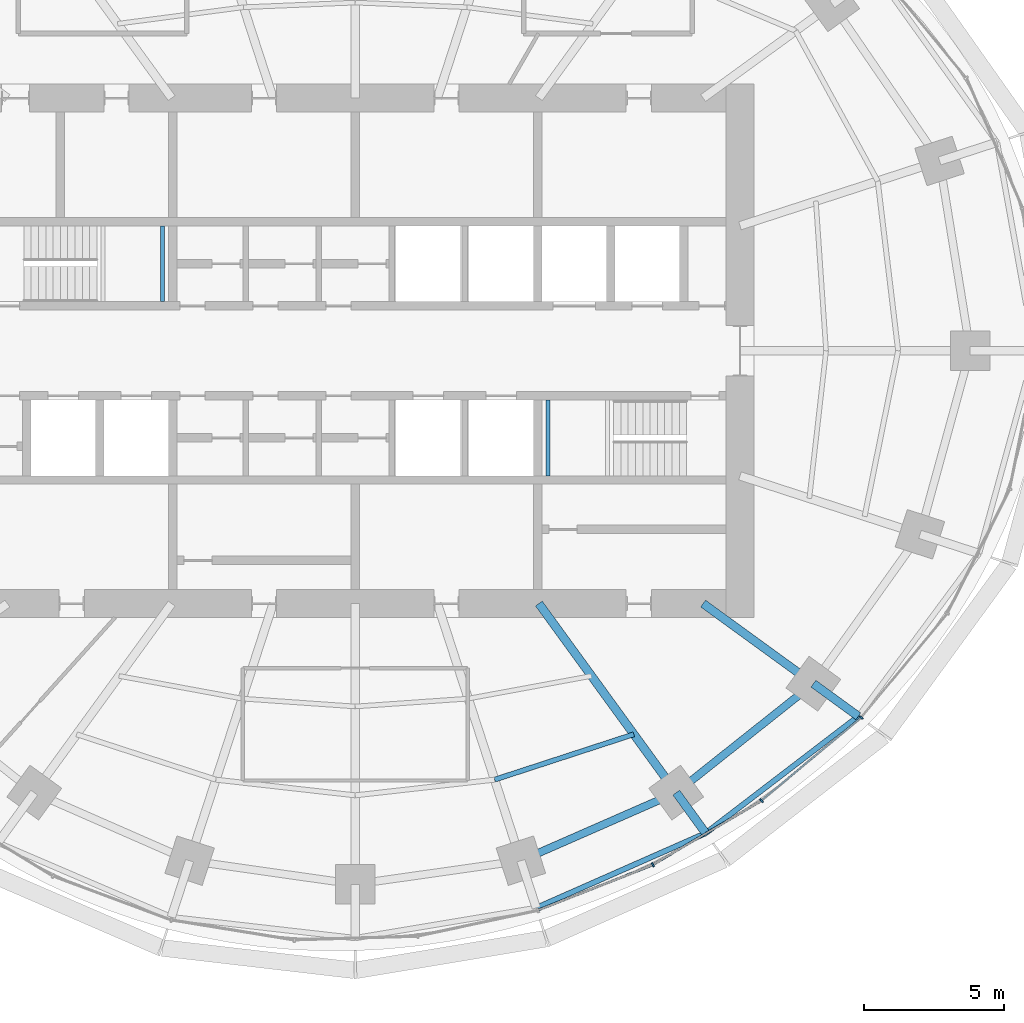
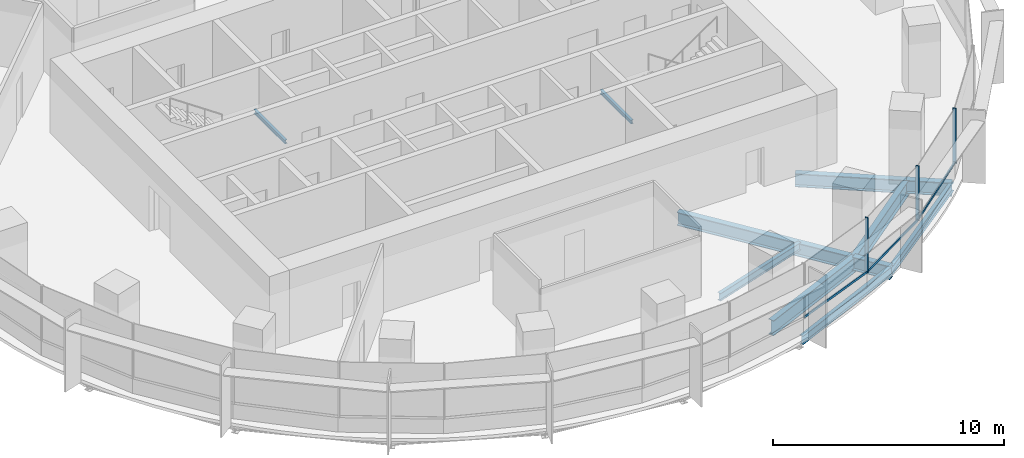
# One storey, part 5 of 14: 11 beams, 6 members, 2 elements without a shape of their own.
"""IFC4 building model written with IfcOpenShell, lengths in metres."""

from ifc_helpers import new_model, si_unit, direction, frame, origin, origin_2d, place, context, subcontext, project, spatial, rectangle, i_section, extrude, material, material_profile, profile_set, type_object, element, aggregate, save


model = new_model("IFC4")

# Units and contexts
model_context = context("Model", 3, precision=1e-05, world=origin(), true_north=direction((0.0, 1.0)))
body_context = subcontext(model_context, "Body", "Model", "MODEL_VIEW")
ifc_project = project(units=[si_unit("LENGTHUNIT", "METRE"), si_unit("AREAUNIT", "SQUARE_METRE"), si_unit("VOLUMEUNIT", "CUBIC_METRE"), si_unit("PLANEANGLEUNIT", "RADIAN"), si_unit("MASSUNIT", "GRAM", prefix="KILO")], contexts=[model_context])

# Site, building, storey
site_placement = place(None, origin())
site = spatial("IfcSite", under=ifc_project, at=site_placement, CompositionType="ELEMENT")
building_placement = place(site_placement, origin())
building = spatial("IfcBuilding", under=site, at=building_placement, Name="Marramba Exchange Tower", CompositionType="ELEMENT")
storey_placement = place(building_placement, frame((0.0, 0.0, 242.300048828125)))
storey = spatial("IfcBuildingStorey", under=building, at=storey_placement, Name="L59", CompositionType="ELEMENT", Elevation=242.300048828125)

# Beams
ifc_material_1 = material(Name="Steel AS/NZS 3679.2 grade 300", Category="steel")
ifc_material_profile_1 = material_profile(ifc_material_1, i_section(OverallWidth=0.300048828125, OverallDepth=0.699951171875, WebThickness=0.010009765625, FlangeThickness=0.031982421875, at=origin_2d()), Name="700WB173")
ifc_profile_set_1 = profile_set([ifc_material_profile_1], Name="Steel AS/NZS 3679.2 grade 300")
beam_type_1 = type_object("IfcBeamType", Name="Cantilever girder 700WB173", PredefinedType="BEAM", material=ifc_profile_set_1)
beam_1_placement = place(storey_placement, frame((11.430419921875, -15.732666015625, -0.510009765625), z_axis=(0.58783009415, -0.808984412959, 0.0), x_axis=(0.808984412959, 0.58783009415, 0.0)))
element("IfcBeam", 1, at=beam_1_placement, inside=storey, type_object=beam_type_1, Name="Cantilever girder L59 TC18", PredefinedType="BEAM", context=body_context, shape_type="SweptSolid", body=[
    extrude(i_section(OverallWidth=0.300048828125, OverallDepth=0.699951171875, WebThickness=0.010009765625, FlangeThickness=0.031982421875, at=origin_2d()), origin(), (0.0, 0.0, 1.0), 1.78515625),
])
beam_2_placement = place(storey_placement, frame((16.3154296875, -11.853759765625, -0.510009765625), z_axis=(0.808970801893, -0.587848825537, 0.0), x_axis=(0.587848825537, 0.808970801893, 0.0)))
element("IfcBeam", 2, at=beam_2_placement, inside=storey, type_object=beam_type_1, Name="Cantilever girder L59 TC19", PredefinedType="BEAM", context=body_context, shape_type="SweptSolid", body=[
    extrude(i_section(OverallWidth=0.300048828125, OverallDepth=0.699951171875, WebThickness=0.010009765625, FlangeThickness=0.031982421875, at=origin_2d()), origin(), (0.0, 0.0, 1.0), 1.978515625),
])
ifc_material_2 = material(Name="Steel AS/NZS 3679.1 grade 300", Category="steel")
ifc_material_profile_2 = material_profile(ifc_material_2, i_section(OverallWidth=0.177978515625, OverallDepth=0.406005859375, WebThickness=0.0078125, FlangeThickness=0.0126953125, FilletRadius=0.011474609375, at=origin_2d()), Name="410UB59.7")
ifc_profile_set_2 = profile_set([ifc_material_profile_2], Name="Steel AS/NZS 3679.1 grade 300")
beam_type_2 = type_object("IfcBeamType", Name="Floor joist 410UB59.7", PredefinedType="JOIST", material=ifc_profile_set_2)
beam_3_placement = place(storey_placement, frame((4.9619140625, -15.271484375, -0.363037109375), z_axis=(0.950764024931, 0.309915744834, 0.0), x_axis=(-0.309915744834, 0.950764024931, 0.0)))
element("IfcBeam", 3, at=beam_3_placement, inside=storey, type_object=beam_type_2, Name="Joist L59 bay 17 row 2", PredefinedType="JOIST", context=body_context, shape_type="SweptSolid", body=[
    extrude(i_section(OverallWidth=0.177978515625, OverallDepth=0.406005859375, WebThickness=0.0078125, FlangeThickness=0.0126953125, FilletRadius=0.011474609375, at=origin_2d()), origin(), (0.0, 0.0, 1.0), 5.2158203125),
])

# Curtain wall, members
ifc_material_3 = material(Name="Aluminium framing, bronze anodised", Category="aluminium")
curtain_wall_type = type_object("IfcCurtainWallType", Name="Office ribbon curtain wall", PredefinedType="USERDEFINED", material=ifc_material_3)
curtain_wall_1_placement = place(storey_placement, origin())
curtain_wall_1 = element("IfcCurtainWall", 4, at=curtain_wall_1_placement, inside=storey, type_object=curtain_wall_type, Name="Curtain wall CW4 L59 F26-F30", ObjectType="RIBBON CURTAIN WALL", PredefinedType="USERDEFINED")
ifc_material_4 = material(Name="Aluminium mullion, bronze anodised", Category="aluminium")
ifc_material_profile_3 = material_profile(ifc_material_4, rectangle(XDim=0.159912109375, YDim=0.06005859375, at=origin_2d()), Name="CW4 mullion 60x160")
ifc_profile_set_3 = profile_set([ifc_material_profile_3], Name="Aluminium mullion, bronze anodised")
member_type_1 = type_object("IfcMemberType", Name="Office ribbon curtain wall mullion", PredefinedType="MULLION", material=ifc_profile_set_3)
member_1_placement = place(storey_placement, frame((10.60009765625, -18.2998046875, 0.800048828125), z_axis=(0.0, 0.0, 1.0), x_axis=(-0.508010571686, 0.861350833897, 0.0)))
member_1 = element("IfcMember", 5, at=member_1_placement, type_object=member_type_1, Name="CW4 mullion 1", PredefinedType="MULLION", context=body_context, shape_type="SweptSolid", body=[
    extrude(rectangle(XDim=0.159912109375, YDim=0.06005859375, at=origin_2d()), origin(), (0.0, 0.0, 1.0), 2.89990234375),
])
member_2_placement = place(storey_placement, frame((14.461669921875, -16.0166015625, 0.800048828125), z_axis=(0.0, 0.0, 1.0), x_axis=(-0.639565270127, 0.768736798421, 0.0)))
member_2 = element("IfcMember", 6, at=member_2_placement, type_object=member_type_1, Name="CW4 mullion 1", PredefinedType="MULLION", context=body_context, shape_type="SweptSolid", body=[
    extrude(rectangle(XDim=0.159912109375, YDim=0.06005859375, at=origin_2d()), origin(), (0.0, 0.0, 1.0), 2.89990234375),
])
member_3_placement = place(storey_placement, frame((18.01611328125, -13.052490234375, 0.800048828125), z_axis=(0.0, 0.0, 1.0), x_axis=(-0.769912069289, 0.63814998673, 0.0)))
member_3 = element("IfcMember", 7, at=member_3_placement, type_object=member_type_1, Name="CW4 mullion 1", PredefinedType="MULLION", context=body_context, shape_type="SweptSolid", body=[
    extrude(rectangle(XDim=0.159912109375, YDim=0.06005859375, at=origin_2d()), origin(), (0.0, 0.0, 1.0), 2.89990234375),
])

# Curtain wall, member
curtain_wall_2_placement = place(storey_placement, origin())
curtain_wall_2 = element("IfcCurtainWall", 8, at=curtain_wall_2_placement, inside=storey, type_object=curtain_wall_type, Name="Curtain wall CW4 L59 F21-F25", ObjectType="RIBBON CURTAIN WALL", PredefinedType="USERDEFINED")
ifc_material_5 = material(Name="Aluminium transom, bronze anodised", Category="aluminium")
ifc_material_profile_4 = material_profile(ifc_material_5, rectangle(XDim=0.06005859375, YDim=0.1201171875, at=origin_2d()), Name="CW4 transom 60x120")
ifc_profile_set_4 = profile_set([ifc_material_profile_4], Name="Aluminium transom, bronze anodised")
member_type_2 = type_object("IfcMemberType", Name="Office ribbon curtain wall transom", PredefinedType="USERDEFINED", material=ifc_profile_set_4)
member_4_placement = place(storey_placement, frame((6.53271484375, -19.911376953125, 0.829833984375), z_axis=(0.930068344217, 0.367386547229, 0.0), x_axis=(-0.367386547229, 0.930068344217, 0.0)))
member_4 = element("IfcMember", 9, at=member_4_placement, type_object=member_type_2, Name="CW4 sill transom", ObjectType="TRANSOM", PredefinedType="USERDEFINED", context=body_context, shape_type="SweptSolid", body=[
    extrude(rectangle(XDim=0.06005859375, YDim=0.1201171875, at=origin_2d()), origin(), (0.0, 0.0, 1.0), 4.345458984375),
])
aggregate(curtain_wall_2, [member_4])

# Member
member_5_placement = place(storey_placement, frame((10.6259765625, -18.28466796875, 0.829833984375), z_axis=(0.861342387959, 0.508024891816, 0.0), x_axis=(-0.508024891816, 0.861342387959, 0.0)))
member_5 = element("IfcMember", 10, at=member_5_placement, type_object=member_type_2, Name="CW4 sill transom", ObjectType="TRANSOM", PredefinedType="USERDEFINED", context=body_context, shape_type="SweptSolid", body=[
    extrude(rectangle(XDim=0.06005859375, YDim=0.1201171875, at=origin_2d()), origin(), (0.0, 0.0, 1.0), 4.426513671875),
])

member_6_placement = place(storey_placement, frame((14.48486328125, -15.99755859375, 0.829833984375), z_axis=(0.768707257272, 0.639600775967, 0.0), x_axis=(-0.639600775967, 0.768707257272, 0.0)))
member_6 = element("IfcMember", 11, at=member_6_placement, type_object=member_type_2, Name="CW4 sill transom", ObjectType="TRANSOM", PredefinedType="USERDEFINED", context=body_context, shape_type="SweptSolid", body=[
    extrude(rectangle(XDim=0.06005859375, YDim=0.1201171875, at=origin_2d()), origin(), (0.0, 0.0, 1.0), 4.568603515625),
])

aggregate(curtain_wall_1, [member_1, member_5, member_2, member_6, member_3])

# Beams
ifc_material_profile_5 = material_profile(ifc_material_1, i_section(OverallWidth=0.300048828125, OverallDepth=0.699951171875, WebThickness=0.010009765625, FlangeThickness=0.031982421875, at=origin_2d()), Name="700WB173")
ifc_profile_set_5 = profile_set([ifc_material_profile_5], Name="Steel AS/NZS 3679.2 grade 300")
beam_type_3 = type_object("IfcBeamType", Name="Radial girder 700WB173", PredefinedType="BEAM", material=ifc_profile_set_5)
beam_4_placement = place(storey_placement, frame((6.538818359375, -9.0, -0.510009765625), z_axis=(0.587787877172, -0.809015087282, 0.0), x_axis=(0.809015087282, 0.587787877172, 0.0)))
element("IfcBeam", 12, at=beam_4_placement, inside=storey, type_object=beam_type_3, Name="Radial girder L59 TC18", PredefinedType="BEAM", context=body_context, shape_type="SweptSolid", body=[
    extrude(i_section(OverallWidth=0.300048828125, OverallDepth=0.699951171875, WebThickness=0.010009765625, FlangeThickness=0.031982421875, at=origin_2d()), origin(), (0.0, 0.0, 1.0), 8.322021484375),
])
beam_5_placement = place(storey_placement, frame((12.387451171875, -9.0, -0.510009765625), z_axis=(0.809025189606, -0.58777397236, 0.0), x_axis=(0.58777397236, 0.809025189606, 0.0)))
element("IfcBeam", 13, at=beam_5_placement, inside=storey, type_object=beam_type_3, Name="Radial girder L59 TC19", PredefinedType="BEAM", context=body_context, shape_type="SweptSolid", body=[
    extrude(i_section(OverallWidth=0.300048828125, OverallDepth=0.699951171875, WebThickness=0.010009765625, FlangeThickness=0.031982421875, at=origin_2d()), origin(), (0.0, 0.0, 1.0), 4.855224609375),
])
ifc_material_profile_6 = material_profile(ifc_material_1, i_section(OverallWidth=0.27490234375, OverallDepth=0.800048828125, WebThickness=0.010009765625, FlangeThickness=0.02490234375, at=origin_2d()), Name="800WB168")
ifc_profile_set_6 = profile_set([ifc_material_profile_6], Name="Steel AS/NZS 3679.2 grade 300")
beam_type_4 = type_object("IfcBeamType", Name="Ring beam 800WB168", PredefinedType="SPANDREL", material=ifc_profile_set_6)
beam_6_placement = place(storey_placement, frame((5.899658203125, -18.156982421875, -0.56005859375), z_axis=(0.915876892158, 0.4014592363, 0.0), x_axis=(-0.4014592363, 0.915876892158, 0.0)))
element("IfcBeam", 14, at=beam_6_placement, inside=storey, type_object=beam_type_4, Name="Ring beam L59 TC17-TC18", PredefinedType="SPANDREL", context=body_context, shape_type="SweptSolid", body=[
    extrude(i_section(OverallWidth=0.27490234375, OverallDepth=0.800048828125, WebThickness=0.010009765625, FlangeThickness=0.02490234375, at=origin_2d()), origin(), (0.0, 0.0, 1.0), 6.038818359375),
])
beam_7_placement = place(storey_placement, frame((11.430419921875, -15.732666015625, -0.56005859375), z_axis=(0.783139438128, 0.621846138887, 0.0), x_axis=(-0.621846138887, 0.783139438128, 0.0)))
element("IfcBeam", 15, at=beam_7_placement, inside=storey, type_object=beam_type_4, Name="Ring beam L59 TC18-TC19", PredefinedType="SPANDREL", context=body_context, shape_type="SweptSolid", body=[
    extrude(i_section(OverallWidth=0.27490234375, OverallDepth=0.800048828125, WebThickness=0.010009765625, FlangeThickness=0.02490234375, at=origin_2d()), origin(), (0.0, 0.0, 1.0), 6.23779296875),
])
ifc_material_profile_7 = material_profile(ifc_material_2, i_section(OverallWidth=0.19091796875, OverallDepth=0.4599609375, WebThickness=0.010009765625, FlangeThickness=0.01611328125, FilletRadius=0.011474609375, at=origin_2d()), Name="460UB82.1")
ifc_profile_set_7 = profile_set([ifc_material_profile_7], Name="Steel AS/NZS 3679.1 grade 300")
beam_type_5 = type_object("IfcBeamType", Name="Slab edge beam 460UB82.1", PredefinedType="SPANDREL", material=ifc_profile_set_7)
beam_8_placement = place(storey_placement, frame((6.44580078125, -19.83837890625, -0.39013671875), z_axis=(0.914940719579, 0.403588255102, 0.0), x_axis=(-0.403588255102, 0.914940719579, 0.0)))
element("IfcBeam", 16, at=beam_8_placement, inside=storey, type_object=beam_type_5, Name="Slab edge beam L59 TC17-TC18", PredefinedType="SPANDREL", context=body_context, shape_type="SweptSolid", body=[
    extrude(i_section(OverallWidth=0.19091796875, OverallDepth=0.4599609375, WebThickness=0.010009765625, FlangeThickness=0.01611328125, FilletRadius=0.011474609375, at=origin_2d()), origin(), (0.0, 0.0, 1.0), 6.594970703125),
])
beam_9_placement = place(storey_placement, frame((12.479736328125, -17.1767578125, -0.39013671875), z_axis=(0.794163423189, 0.607704251481, 0.0), x_axis=(-0.607704251481, 0.794163423189, 0.0)))
element("IfcBeam", 17, at=beam_9_placement, inside=storey, type_object=beam_type_5, Name="Slab edge beam L59 TC18-TC19", PredefinedType="SPANDREL", context=body_context, shape_type="SweptSolid", body=[
    extrude(i_section(OverallWidth=0.19091796875, OverallDepth=0.4599609375, WebThickness=0.010009765625, FlangeThickness=0.01611328125, FilletRadius=0.011474609375, at=origin_2d()), origin(), (0.0, 0.0, 1.0), 6.84521484375),
])
ifc_material_profile_8 = material_profile(ifc_material_2, i_section(OverallWidth=0.133056640625, OverallDepth=0.202880859375, WebThickness=0.005859375, FlangeThickness=0.0078125, FilletRadius=0.0087890625, at=origin_2d()), Name="200UB25.4")
ifc_profile_set_8 = profile_set([ifc_material_profile_8], Name="Steel AS/NZS 3679.1 grade 300")
beam_type_6 = type_object("IfcBeamType", Name="Stair landing beam 200UB25.4", PredefinedType="BEAM", material=ifc_profile_set_8)
for number, where, z_axis, x_axis, name in (
    (18, (-6.866455078125, 1.75, 1.6484375), (0.0, 1.0, 0.0), (-1.0, 0.0, 0.0), "Stair landing beam SLB1 ST1 L59 2"),
    (19, (6.866455078125, -4.449951171875, 1.6484375), (0.0, 1.0, 0.0), (-1.0, 0.0, 0.0), "Stair landing beam SLB1 ST2 L59 1"),
):
    element("IfcBeam", number, at=place(storey_placement, frame(where, z_axis=z_axis, x_axis=x_axis)), inside=storey, type_object=beam_type_6, Name=name, PredefinedType="BEAM", context=body_context, shape_type="SweptSolid", body=[
        extrude(i_section(OverallWidth=0.133056640625, OverallDepth=0.202880859375, WebThickness=0.005859375, FlangeThickness=0.0078125, FilletRadius=0.0087890625, at=origin_2d()), origin(), (0.0, 0.0, 1.0), 2.699951171875),
    ])

save(model, "model.ifc")
